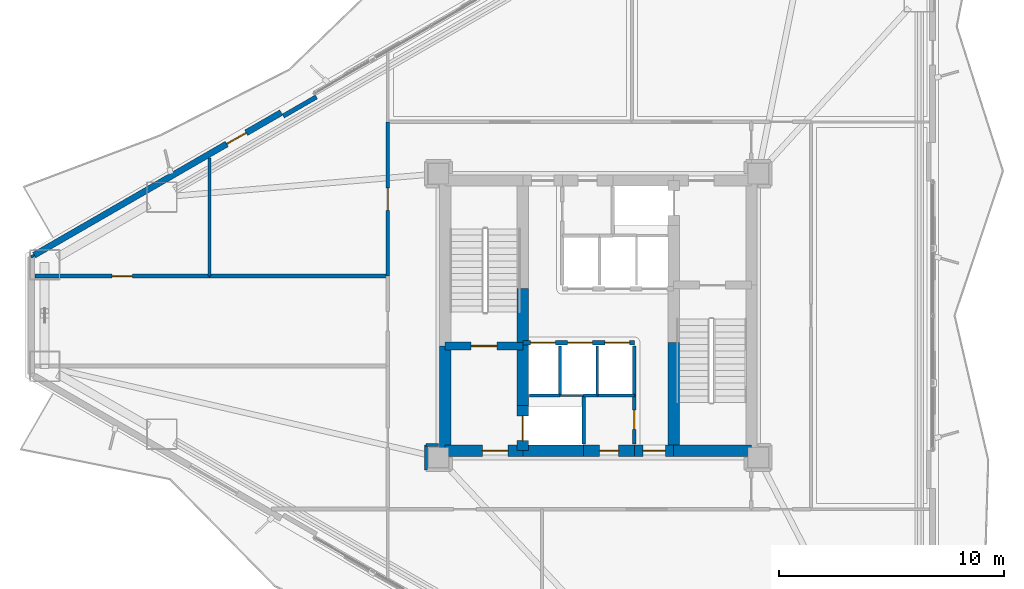
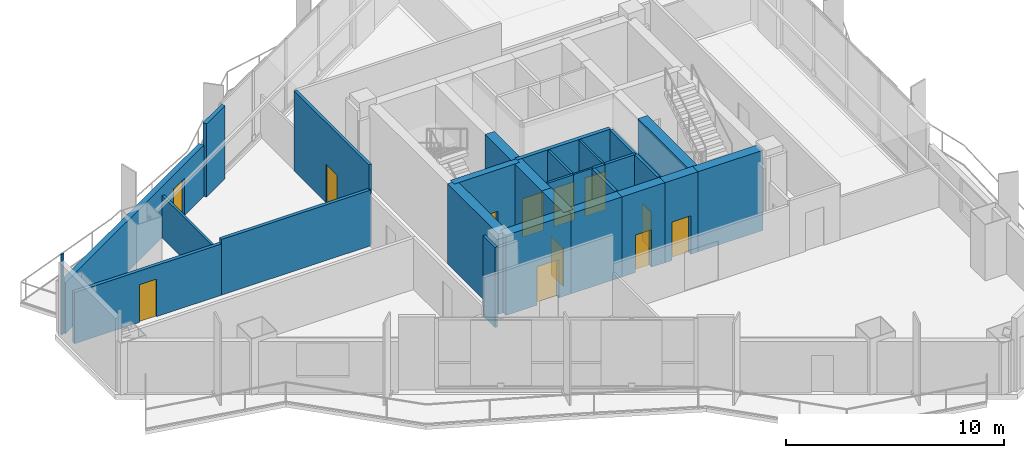
# One storey, part 12 of 16: 30 walls, 12 doors, 12 openings.
"""IFC4 building model written with IfcOpenShell, lengths in metres."""

from ifc_helpers import new_model, si_unit, direction, frame, frame_2d, origin, place, context, subcontext, project, spatial, rectangle, extrude, material, layer, layer_set, type_object, element, fill, save


model = new_model("IFC4")

# Units and contexts
model_context = context("Model", 3, precision=1e-05, world=origin(), true_north=direction((0.0, 1.0)))
body_context = subcontext(model_context, "Body", "Model", "MODEL_VIEW")
ifc_project = project(units=[si_unit("LENGTHUNIT", "METRE"), si_unit("AREAUNIT", "SQUARE_METRE"), si_unit("VOLUMEUNIT", "CUBIC_METRE"), si_unit("PLANEANGLEUNIT", "RADIAN"), si_unit("MASSUNIT", "GRAM", prefix="KILO")], contexts=[model_context])

# Site, building, storey
site_placement = place(None, origin())
site = spatial("IfcSite", under=ifc_project, at=site_placement, CompositionType="ELEMENT")
building_placement = place(site_placement, origin())
building = spatial("IfcBuilding", under=site, at=building_placement, Name="Mersakhor Tower and Convention Hall", CompositionType="ELEMENT")
storey_placement = place(building_placement, frame((0.0, 0.0, 62.10009765625)))
storey = spatial("IfcBuildingStorey", under=building, at=storey_placement, Name="L17", CompositionType="ELEMENT", Elevation=62.10009765625)

# Wall, opening, door
ifc_material_1 = material(Name="Precast concrete C45/55", Category="concrete")
ifc_layer_1 = layer(ifc_material_1, 0.27490234375)
ifc_layer_set_1 = layer_set([ifc_layer_1], Name="Precast concrete C45/55")
wall_type_1 = type_object("IfcWallType", Name="WL-EXT-275", PredefinedType="SOLIDWALL", material=ifc_layer_set_1)
wall_1_placement = place(storey_placement, frame((3.943115234375, 29.4306640625, 0.0), z_axis=(0.0, 0.0, 1.0), x_axis=(0.866027105532, 0.499997052475, 0.0)))
wall_1 = element("IfcWall", 1, at=wall_1_placement, inside=storey, type_object=wall_type_1, Name="L17 Exterior Facade Wall F1-B1", PredefinedType="SOLIDWALL", context=body_context, shape_type="SweptSolid", body=[
    extrude(rectangle(XDim=12.6728515625, YDim=0.27490234375, at=frame_2d((6.33642578125, 0.0))), origin(), (0.0, 0.0, 1.0), 2.864990234375),
])
opening_1_placement = place(wall_1_placement, frame((9.8798828125, 0.0, 0.0)))
opening_1 = element("IfcOpeningElement", 2, at=opening_1_placement, cuts=wall_1, Name="Opening BD-01", PredefinedType="OPENING", context=body_context, shape_type="SweptSolid", body=[
    extrude(rectangle(XDim=1.0, YDim=2.10009765625, at=frame_2d((0.5, 1.050048828125))), frame((0.0, 0.1474609375, 0.0), z_axis=(0.0, -1.0, 0.0), x_axis=(1.0, 0.0, 0.0)), (0.0, 0.0, 1.0), 0.294921875),
])
ifc_material_2 = material(Name="Thermally broken dark aluminium and safety glass", Category="aluminium")
door_type_1 = type_object("IfcDoorType", Name="DR-BAL-100x210", OperationType="NOTDEFINED", PredefinedType="DOOR", material=ifc_material_2)
door_1_placement = place(opening_1_placement, origin())
door_1 = element("IfcDoor", 3, at=door_1_placement, inside=storey, type_object=door_type_1, Name="L17 Balcony Terrace Door F1-B1", OperationType="SINGLE_SWING_LEFT", OverallHeight=2.10009765625, OverallWidth=1.0, PredefinedType="DOOR", context=body_context, shape_type="SweptSolid", body=[
    extrude(rectangle(XDim=1.0, YDim=2.10009765625, at=frame_2d((0.5, 1.050048828125))), frame((0.0, 0.02490234375, 0.0), z_axis=(0.0, -1.0, 0.0), x_axis=(1.0, 0.0, 0.0)), (0.0, 0.0, 1.0), 0.050048828125),
])
fill(opening_1, door_1)

# Wall
ifc_material_3 = material(Name="Precast concrete C40/50", Category="concrete")
ifc_layer_2 = layer(ifc_material_3, 0.199951171875)
ifc_layer_set_2 = layer_set([ifc_layer_2], Name="Precast concrete C40/50")
wall_type_2 = type_object("IfcWallType", Name="WL-PAR-200", PredefinedType="PARAPET", material=ifc_layer_set_2)
wall_2_placement = place(storey_placement, frame((15.00830078125, 35.611328125, 0.0), z_axis=(0.0, 0.0, 1.0), x_axis=(0.86605165483, 0.499954529098, 0.0)))
element("IfcWall", 4, at=wall_2_placement, inside=storey, type_object=wall_type_2, Name="L17 Column Pier Cladding Wall F1-C1", PredefinedType="PARAPET", context=body_context, shape_type="SweptSolid", body=[
    extrude(rectangle(XDim=1.699951171875, YDim=0.199951171875, at=frame_2d((0.85009765625, 0.0))), origin(), (0.0, 0.0, 1.0), 4.099853515625),
])

# Wall, opening, door
ifc_material_4 = material(Name="Moisture-resistant acoustic drywall studwork", Category="other")
ifc_layer_3 = layer(ifc_material_4, 0.175048828125)
ifc_layer_set_3 = layer_set([ifc_layer_3], Name="Moisture-resistant acoustic drywall studwork")
wall_type_3 = type_object("IfcWallType", Name="WL-PLM-175", PredefinedType="PLUMBINGWALL", material=ifc_layer_set_3)
wall_3_placement = place(storey_placement, frame((3.974609375, 28.5, 0.0), z_axis=(0.0, 0.0, 1.0), x_axis=(1.0, 0.0, 0.0)))
wall_3 = element("IfcWall", 5, at=wall_3_placement, inside=storey, type_object=wall_type_3, Name="L17 Interior Partition Wall P-054", PredefinedType="PLUMBINGWALL", context=body_context, shape_type="SweptSolid", body=[
    extrude(rectangle(XDim=7.75537109375, YDim=0.175048828125, at=frame_2d((3.877685546875, 0.0))), origin(), (0.0, 0.0, 1.0), 2.864990234375),
])
opening_2_placement = place(wall_3_placement, frame((3.427734375, 0.0, 0.0)))
opening_2 = element("IfcOpeningElement", 6, at=opening_2_placement, cuts=wall_3, Name="Opening WD-01", PredefinedType="OPENING", context=body_context, shape_type="SweptSolid", body=[
    extrude(rectangle(XDim=0.89990234375, YDim=2.10009765625, at=frame_2d((0.449951171875, 1.050048828125))), frame((0.0, 0.097412109375, 0.0), z_axis=(0.0, -1.0, 0.0), x_axis=(1.0, 0.0, 0.0)), (0.0, 0.0, 1.0), 0.195068359375),
])
ifc_material_5 = material(Name="Solid-core hardwood leaf in painted steel frame", Category="steel")
door_type_2 = type_object("IfcDoorType", Name="DR-INT-WET-090x210", OperationType="NOTDEFINED", PredefinedType="DOOR", material=ifc_material_5)
door_2_placement = place(opening_2_placement, origin())
door_2 = element("IfcDoor", 7, at=door_2_placement, inside=storey, type_object=door_type_2, Name="L17 Level 17 Accessible Toilet WC to Residents Quiet Reading Lounge Door", OperationType="SINGLE_SWING_RIGHT", OverallHeight=2.10009765625, OverallWidth=0.89990234375, PredefinedType="DOOR", context=body_context, shape_type="SweptSolid", body=[
    extrude(rectangle(XDim=0.89990234375, YDim=2.10009765625, at=frame_2d((0.449951171875, 1.050048828125))), frame((0.0, 0.02490234375, 0.0), z_axis=(0.0, -1.0, 0.0), x_axis=(1.0, 0.0, 0.0)), (0.0, 0.0, 1.0), 0.050048828125),
])
fill(opening_2, door_2)

# Walls
wall_4_placement = place(storey_placement, frame((11.72998046875, 28.5, 0.0), z_axis=(0.0, 0.0, 1.0), x_axis=(1.0, 0.0, 0.0)))
element("IfcWall", 8, at=wall_4_placement, inside=storey, type_object=wall_type_3, Name="L17 Interior Partition Wall P-055", PredefinedType="PLUMBINGWALL", context=body_context, shape_type="SweptSolid", body=[
    extrude(rectangle(XDim=7.919921875, YDim=0.175048828125, at=frame_2d((3.9599609375, 0.0))), origin(), (0.0, 0.0, 1.0), 3.114990234375),
])
ifc_material_6 = material(Name="Lightweight gypsum partition", Category="other")
ifc_layer_4 = layer(ifc_material_6, 0.10009765625)
ifc_layer_set_4 = layer_set([ifc_layer_4], Name="Lightweight gypsum partition")
wall_type_4 = type_object("IfcWallType", Name="WL-PRT-100", PredefinedType="PARTITIONING", material=ifc_layer_set_4)
wall_5_placement = place(storey_placement, frame((27.300048828125, 23.199951171875, 0.0), z_axis=(0.0, 0.0, 1.0), x_axis=(1.0, 0.0, 0.0)))
element("IfcWall", 9, at=wall_5_placement, inside=storey, type_object=wall_type_4, Name="L17 Interior Partition Wall P-002", PredefinedType="PARTITIONING", context=body_context, shape_type="SweptSolid", body=[
    extrude(rectangle(XDim=1.050048828125, YDim=0.10009765625, at=frame_2d((0.52490234375, 0.0))), origin(), (0.0, 0.0, 1.0), 4.47998046875),
])
wall_6_placement = place(storey_placement, frame((28.949951171875, 25.39990234375, 0.0), z_axis=(0.0, 0.0, 1.0), x_axis=(0.0, -1.0, 0.0)))
element("IfcWall", 10, at=wall_6_placement, inside=storey, type_object=wall_type_4, Name="L17 Interior Partition Wall P-008", PredefinedType="PARTITIONING", context=body_context, shape_type="SweptSolid", body=[
    extrude(rectangle(XDim=2.199951171875, YDim=0.10009765625, at=frame_2d((1.10009765625, 0.0))), origin(), (0.0, 0.0, 1.0), 4.47998046875),
])
wall_7_placement = place(storey_placement, frame((3.81298828125, 29.35595703125, 0.0), z_axis=(0.0, 0.0, 1.0), x_axis=(0.866131372301, 0.499816412211, 0.0)))
element("IfcWall", 11, at=wall_7_placement, inside=storey, type_object=wall_type_4, Name="L17 Interior Partition Wall P-060", PredefinedType="PARTITIONING", context=body_context, shape_type="SweptSolid", body=[
    extrude(rectangle(XDim=0.14990234375, YDim=0.10009765625, at=frame_2d((0.074951171875, 0.0))), origin(), (0.0, 0.0, 1.0), 4.47998046875),
])
ifc_material_7 = material(Name="Gypsum board acoustic partition", Category="other")
ifc_layer_5 = layer(ifc_material_7, 0.125)
ifc_layer_set_5 = layer_set([ifc_layer_5], Name="Gypsum board acoustic partition")
wall_type_5 = type_object("IfcWallType", Name="WL-PRT-125", PredefinedType="PARTITIONING", material=ifc_layer_set_5)
wall_8_placement = place(storey_placement, frame((25.949951171875, 23.199951171875, 0.0), z_axis=(0.0, 0.0, 1.0), x_axis=(1.0, 0.0, 0.0)))
element("IfcWall", 12, at=wall_8_placement, inside=storey, type_object=wall_type_5, Name="L17 Interior Partition Wall P-001", PredefinedType="PARTITIONING", context=body_context, shape_type="SweptSolid", body=[
    extrude(rectangle(XDim=1.35009765625, YDim=0.125, at=frame_2d((0.675048828125, 0.0))), origin(), (0.0, 0.0, 1.0), 4.47998046875),
])
wall_9_placement = place(storey_placement, frame((27.300048828125, 25.39990234375, 0.0), z_axis=(0.0, 0.0, 1.0), x_axis=(0.0, -1.0, 0.0)))
element("IfcWall", 13, at=wall_9_placement, inside=storey, type_object=wall_type_5, Name="L17 Interior Partition Wall P-007", PredefinedType="PARTITIONING", context=body_context, shape_type="SweptSolid", body=[
    extrude(rectangle(XDim=2.199951171875, YDim=0.125, at=frame_2d((1.10009765625, 0.0))), origin(), (0.0, 0.0, 1.0), 4.47998046875),
])
wall_10_placement = place(storey_placement, frame((11.72998046875, 33.739990234375, 0.0), z_axis=(0.0, 0.0, 1.0), x_axis=(0.0, -1.0, 0.0)))
element("IfcWall", 14, at=wall_10_placement, inside=storey, type_object=wall_type_5, Name="L17 Interior Partition Wall P-061", PredefinedType="PARTITIONING", context=body_context, shape_type="SweptSolid", body=[
    extrude(rectangle(XDim=5.239990234375, YDim=0.125, at=frame_2d((2.6201171875, 0.0))), origin(), (0.0, 0.0, 1.0), 2.364990234375),
])
ifc_material_8 = material(Name="Fire-rated gypsum board stud partition", Category="other")
ifc_layer_6 = layer(ifc_material_8, 0.14990234375)
ifc_layer_set_6 = layer_set([ifc_layer_6], Name="Fire-rated gypsum board stud partition")
wall_type_6 = type_object("IfcWallType", Name="WL-PRT-150", PredefinedType="PARTITIONING", material=ifc_layer_set_6)
wall_11_placement = place(storey_placement, frame((28.35009765625, 23.199951171875, 0.0), z_axis=(0.0, 0.0, 1.0), x_axis=(0.0, -1.0, 0.0)))
element("IfcWall", 15, at=wall_11_placement, inside=storey, type_object=wall_type_6, Name="L17 Interior Partition Wall P-003", PredefinedType="PARTITIONING", context=body_context, shape_type="SweptSolid", body=[
    extrude(rectangle(XDim=2.14990234375, YDim=0.14990234375, at=frame_2d((1.074951171875, 0.0))), origin(), (0.0, 0.0, 1.0), 4.47998046875),
])
wall_12_placement = place(storey_placement, frame((28.949951171875, 23.199951171875, 0.0), z_axis=(0.0, 0.0, 1.0), x_axis=(-1.0, 0.0, 0.0)))
element("IfcWall", 16, at=wall_12_placement, inside=storey, type_object=wall_type_6, Name="L17 Interior Partition Wall P-009", PredefinedType="PARTITIONING", context=body_context, shape_type="SweptSolid", body=[
    extrude(rectangle(XDim=0.599853515625, YDim=0.14990234375, at=frame_2d((0.2998046875, 0.0))), origin(), (0.0, 0.0, 1.0), 4.47998046875),
])
wall_13_placement = place(storey_placement, frame((30.60009765625, 25.39990234375, 0.0), z_axis=(0.0, 0.0, 1.0), x_axis=(0.0, -1.0, 0.0)))
element("IfcWall", 17, at=wall_13_placement, inside=storey, type_object=wall_type_6, Name="L17 Interior Partition Wall P-010", PredefinedType="PARTITIONING", context=body_context, shape_type="SweptSolid", body=[
    extrude(rectangle(XDim=2.199951171875, YDim=0.14990234375, at=frame_2d((1.10009765625, 0.0))), origin(), (0.0, 0.0, 1.0), 4.47998046875),
])
wall_14_placement = place(storey_placement, frame((30.60009765625, 23.199951171875, 0.0), z_axis=(0.0, 0.0, 1.0), x_axis=(-1.0, 0.0, 0.0)))
element("IfcWall", 18, at=wall_14_placement, inside=storey, type_object=wall_type_6, Name="L17 Interior Partition Wall P-011", PredefinedType="PARTITIONING", context=body_context, shape_type="SweptSolid", body=[
    extrude(rectangle(XDim=1.650146484375, YDim=0.14990234375, at=frame_2d((0.8251953125, 0.0))), origin(), (0.0, 0.0, 1.0), 4.47998046875),
])

# Wall, opening, door
wall_15_placement = place(storey_placement, frame((30.60009765625, 21.050048828125, 0.0), z_axis=(0.0, 0.0, 1.0), x_axis=(0.0, 1.0, 0.0)))
wall_15 = element("IfcWall", 19, at=wall_15_placement, inside=storey, type_object=wall_type_6, Name="L17 Interior Partition Wall P-017", PredefinedType="PARTITIONING", context=body_context, shape_type="SweptSolid", body=[
    extrude(rectangle(XDim=2.14990234375, YDim=0.14990234375, at=frame_2d((1.074951171875, 0.0))), origin(), (0.0, 0.0, 1.0), 4.47998046875),
])
opening_3_placement = place(wall_15_placement, frame((0.64990234375, 0.0, 0.0)))
opening_3 = element("IfcOpeningElement", 20, at=opening_3_placement, cuts=wall_15, Name="Opening SVD-01", PredefinedType="OPENING", context=body_context, shape_type="SweptSolid", body=[
    extrude(rectangle(XDim=0.85009765625, YDim=2.10009765625, at=frame_2d((0.425048828125, 1.050048828125))), frame((0.0, 0.0849609375, 0.0), z_axis=(0.0, -1.0, 0.0), x_axis=(1.0, 0.0, 0.0)), (0.0, 0.0, 1.0), 0.169921875),
])
ifc_material_9 = material(Name="Fire-rated hardwood leaf and painted steel frame", Category="steel")
door_type_3 = type_object("IfcDoorType", Name="DR-INT-SVC-085x210", OperationType="NOTDEFINED", PredefinedType="DOOR", material=ifc_material_9)
door_3_placement = place(opening_3_placement, origin())
door_3 = element("IfcDoor", 21, at=door_3_placement, inside=storey, type_object=door_type_3, Name="L17 Central Passenger Lift Lobby to Electrical Switchroom Door", OperationType="SINGLE_SWING_RIGHT", OverallHeight=2.10009765625, OverallWidth=0.85009765625, PredefinedType="DOOR", context=body_context, shape_type="SweptSolid", body=[
    extrude(rectangle(XDim=0.85009765625, YDim=2.10009765625, at=frame_2d((0.425048828125, 1.050048828125))), frame((0.0, 0.02490234375, 0.0), z_axis=(0.0, -1.0, 0.0), x_axis=(1.0, 0.0, 0.0)), (0.0, 0.0, 1.0), 0.050048828125),
])
fill(opening_3, door_3)

wall_16_placement = place(storey_placement, frame((19.64990234375, 28.5, 0.0), z_axis=(0.0, 0.0, 1.0), x_axis=(0.0, 1.0, 0.0)))
wall_16 = element("IfcWall", 22, at=wall_16_placement, inside=storey, type_object=wall_type_6, Name="L17 Interior Partition Wall P-028", PredefinedType="PARTITIONING", context=body_context, shape_type="SweptSolid", body=[
    extrude(rectangle(XDim=6.85009765625, YDim=0.14990234375, at=frame_2d((3.425048828125, 0.0))), origin(), (0.0, 0.0, 1.0), 4.47998046875),
])
opening_4_placement = place(wall_16_placement, frame((2.925048828125, 0.0, 0.0)))
opening_4 = element("IfcOpeningElement", 23, at=opening_4_placement, cuts=wall_16, Name="Opening FD-01", PredefinedType="OPENING", context=body_context, shape_type="SweptSolid", body=[
    extrude(rectangle(XDim=1.0, YDim=2.14990234375, at=frame_2d((0.5, 1.074951171875))), frame((0.0, 0.0849609375, 0.0), z_axis=(0.0, -1.0, 0.0), x_axis=(1.0, 0.0, 0.0)), (0.0, 0.0, 1.0), 0.169921875),
])
ifc_material_10 = material(Name="Fire-rated hardwood leaf and painted steel frame", Category="steel")
door_type_4 = type_object("IfcDoorType", Name="DR-INT-FLT-100x215", OperationType="NOTDEFINED", PredefinedType="DOOR", material=ifc_material_10)
door_4_placement = place(opening_4_placement, origin())
door_4 = element("IfcDoor", 24, at=door_4_placement, inside=storey, type_object=door_type_4, Name="L17 L17 Sky-Lobby Corridor to Residents Quiet Reading Lounge Annex Door", OperationType="SINGLE_SWING_RIGHT", OverallHeight=2.14990234375, OverallWidth=1.0, PredefinedType="DOOR", context=body_context, shape_type="SweptSolid", body=[
    extrude(rectangle(XDim=1.0, YDim=2.14990234375, at=frame_2d((0.5, 1.074951171875))), frame((0.0, 0.02490234375, 0.0), z_axis=(0.0, -1.0, 0.0), x_axis=(1.0, 0.0, 0.0)), (0.0, 0.0, 1.0), 0.050048828125),
])
fill(opening_4, door_4)

# Walls
wall_17_placement = place(storey_placement, frame((21.89990234375, 21.0, 0.0), z_axis=(0.0, 0.0, 1.0), x_axis=(-1.0, 0.0, 0.0)))
element("IfcWall", 25, at=wall_17_placement, inside=storey, type_object=wall_type_6, Name="L17 Interior Partition Wall P-038", PredefinedType="PARTITIONING", context=body_context, shape_type="SweptSolid", body=[
    extrude(rectangle(XDim=0.5498046875, YDim=0.14990234375, at=frame_2d((0.27490234375, 0.0))), origin(), (0.0, 0.0, 1.0), 3.92822265625),
])
wall_18_placement = place(storey_placement, frame((21.35009765625, 21.0, 0.0), z_axis=(0.0, 0.0, 1.0), x_axis=(0.0, -1.0, 0.0)))
element("IfcWall", 26, at=wall_18_placement, inside=storey, type_object=wall_type_6, Name="L17 Interior Partition Wall P-039", PredefinedType="PARTITIONING", context=body_context, shape_type="SweptSolid", body=[
    extrude(rectangle(XDim=1.10009765625, YDim=0.14990234375, at=frame_2d((0.550048828125, 0.0))), origin(), (0.0, 0.0, 1.0), 4.47998046875),
])

# Wall, openings, doors
ifc_material_11 = material(Name="Acoustic concrete blockwork and gypsum board", Category="masonry")
ifc_layer_7 = layer(ifc_material_11, 0.199951171875)
ifc_layer_set_7 = layer_set([ifc_layer_7], Name="Acoustic concrete blockwork and gypsum board")
wall_type_7 = type_object("IfcWallType", Name="WL-PRT-200", PredefinedType="PARTITIONING", material=ifc_layer_set_7)
wall_19_placement = place(storey_placement, frame((25.64990234375, 25.550048828125, 0.0), z_axis=(0.0, 0.0, 1.0), x_axis=(1.0, 0.0, 0.0)))
wall_19 = element("IfcWall", 27, at=wall_19_placement, inside=storey, type_object=wall_type_7, Name="L17 High-Rise Lift Bank Front Wall", PredefinedType="PARTITIONING", context=body_context, shape_type="SweptSolid", body=[
    extrude(rectangle(XDim=4.9501953125, YDim=0.199951171875, at=frame_2d((2.47509765625, 0.0))), origin(), (0.0, 0.0, 1.0), 4.47998046875),
])
opening_5_placement = place(wall_19_placement, frame((0.340087890625, 0.0, 0.0)))
opening_5 = element("IfcOpeningElement", 28, at=opening_5_placement, cuts=wall_19, Name="Opening LD-P4", PredefinedType="OPENING", context=body_context, shape_type="SweptSolid", body=[
    extrude(rectangle(XDim=1.10009765625, YDim=2.14990234375, at=frame_2d((0.550048828125, 1.074951171875))), frame((0.0, 0.10986328125, 0.0), z_axis=(0.0, -1.0, 0.0), x_axis=(1.0, 0.0, 0.0)), (0.0, 0.0, 1.0), 0.219970703125),
])
opening_6_placement = place(wall_19_placement, frame((1.989990234375, 0.0, 0.0)))
opening_6 = element("IfcOpeningElement", 29, at=opening_6_placement, cuts=wall_19, Name="Opening LD-P5", PredefinedType="OPENING", context=body_context, shape_type="SweptSolid", body=[
    extrude(rectangle(XDim=1.10009765625, YDim=2.14990234375, at=frame_2d((0.550048828125, 1.074951171875))), frame((0.0, 0.10986328125, 0.0), z_axis=(0.0, -1.0, 0.0), x_axis=(1.0, 0.0, 0.0)), (0.0, 0.0, 1.0), 0.219970703125),
])
opening_7_placement = place(wall_19_placement, frame((3.639892578125, 0.0, 0.0)))
opening_7 = element("IfcOpeningElement", 30, at=opening_7_placement, cuts=wall_19, Name="Opening LD-P6", PredefinedType="OPENING", context=body_context, shape_type="SweptSolid", body=[
    extrude(rectangle(XDim=1.10009765625, YDim=2.14990234375, at=frame_2d((0.550048828125, 1.074951171875))), frame((0.0, 0.10986328125, 0.0), z_axis=(0.0, -1.0, 0.0), x_axis=(1.0, 0.0, 0.0)), (0.0, 0.0, 1.0), 0.219970703125),
])
ifc_material_12 = material(Name="Fire-rated brushed stainless steel sliding landing door", Category="steel")
door_type_5 = type_object("IfcDoorType", Name="DR-LIFT-SLD-110x215", OperationType="NOTDEFINED", PredefinedType="DOOR", material=ifc_material_12)
door_5_placement = place(opening_5_placement, origin())
door_5 = element("IfcDoor", 31, at=door_5_placement, inside=storey, type_object=door_type_5, Name="L17 Lift Landing Door LD-P4", OperationType="SLIDING_TO_LEFT", OverallHeight=2.14990234375, OverallWidth=1.10009765625, PredefinedType="DOOR", context=body_context, shape_type="SweptSolid", body=[
    extrude(rectangle(XDim=1.10009765625, YDim=2.14990234375, at=frame_2d((0.550048828125, 1.074951171875))), frame((0.0, 0.02490234375, 0.0), z_axis=(0.0, -1.0, 0.0), x_axis=(1.0, 0.0, 0.0)), (0.0, 0.0, 1.0), 0.050048828125),
])
fill(opening_5, door_5)
door_6_placement = place(opening_6_placement, origin())
door_6 = element("IfcDoor", 32, at=door_6_placement, inside=storey, type_object=door_type_5, Name="L17 Lift Landing Door LD-P5", OperationType="SLIDING_TO_LEFT", OverallHeight=2.14990234375, OverallWidth=1.10009765625, PredefinedType="DOOR", context=body_context, shape_type="SweptSolid", body=[
    extrude(rectangle(XDim=1.10009765625, YDim=2.14990234375, at=frame_2d((0.550048828125, 1.074951171875))), frame((0.0, 0.02490234375, 0.0), z_axis=(0.0, -1.0, 0.0), x_axis=(1.0, 0.0, 0.0)), (0.0, 0.0, 1.0), 0.050048828125),
])
fill(opening_6, door_6)
door_7_placement = place(opening_7_placement, origin())
door_7 = element("IfcDoor", 33, at=door_7_placement, inside=storey, type_object=door_type_5, Name="L17 Lift Landing Door LD-P6", OperationType="SLIDING_TO_LEFT", OverallHeight=2.14990234375, OverallWidth=1.10009765625, PredefinedType="DOOR", context=body_context, shape_type="SweptSolid", body=[
    extrude(rectangle(XDim=1.10009765625, YDim=2.14990234375, at=frame_2d((0.550048828125, 1.074951171875))), frame((0.0, 0.02490234375, 0.0), z_axis=(0.0, -1.0, 0.0), x_axis=(1.0, 0.0, 0.0)), (0.0, 0.0, 1.0), 0.050048828125),
])
fill(opening_7, door_7)

# Wall, opening, door
ifc_material_13 = material(Name="Concrete C50/60", Category="concrete")
ifc_layer_8 = layer(ifc_material_13, 0.35009765625)
ifc_layer_set_8 = layer_set([ifc_layer_8], Name="Concrete C50/60")
wall_type_8 = type_object("IfcWallType", Name="WL-SHR-350", PredefinedType="SHEAR", material=ifc_layer_set_8)
wall_20_placement = place(storey_placement, frame((22.199951171875, 25.39990234375, 0.0), z_axis=(0.0, 0.0, 1.0), x_axis=(1.0, 0.0, 0.0)))
wall_20 = element("IfcWall", 34, at=wall_20_placement, inside=storey, type_object=wall_type_8, Name="L17 Core Wall CS-ST1-S", PredefinedType="SHEAR", context=body_context, shape_type="SweptSolid", body=[
    extrude(rectangle(XDim=3.449951171875, YDim=0.35009765625, at=frame_2d((1.72509765625, 0.0))), origin(), (0.0, 0.0, 1.0), 4.47998046875),
])
opening_8_placement = place(wall_20_placement, frame((1.14990234375, 0.0, 0.0)))
opening_8 = element("IfcOpeningElement", 35, at=opening_8_placement, cuts=wall_20, Name="Opening SD-01", PredefinedType="OPENING", context=body_context, shape_type="SweptSolid", body=[
    extrude(rectangle(XDim=1.14990234375, YDim=2.14990234375, at=frame_2d((0.574951171875, 1.074951171875))), frame((0.0, 0.18505859375, 0.0), z_axis=(0.0, -1.0, 0.0), x_axis=(1.0, 0.0, 0.0)), (0.0, 0.0, 1.0), 0.3701171875),
])
ifc_material_14 = material(Name="Fire-rated hardwood leaf and painted steel frame", Category="steel")
door_type_6 = type_object("IfcDoorType", Name="DR-INT-STAIR-115x215", OperationType="NOTDEFINED", PredefinedType="DOOR", material=ifc_material_14)
door_8_placement = place(opening_8_placement, origin())
door_8 = element("IfcDoor", 36, at=door_8_placement, inside=storey, type_object=door_type_6, Name="L17 Exit Stair ST-1 Enclosure Door", OperationType="SINGLE_SWING_LEFT", OverallHeight=2.14990234375, OverallWidth=1.14990234375, PredefinedType="DOOR", context=body_context, shape_type="SweptSolid", body=[
    extrude(rectangle(XDim=1.14990234375, YDim=2.14990234375, at=frame_2d((0.574951171875, 1.074951171875))), frame((0.0, 0.02490234375, 0.0), z_axis=(0.0, -1.0, 0.0), x_axis=(1.0, 0.0, 0.0)), (0.0, 0.0, 1.0), 0.050048828125),
])
fill(opening_8, door_8)

# Walls
ifc_material_15 = material(Name="Concrete C70/85", Category="concrete")
ifc_layer_9 = layer(ifc_material_15, 0.5)
ifc_layer_set_9 = layer_set([ifc_layer_9], Name="Concrete C70/85")
wall_type_9 = type_object("IfcWallType", Name="WL-SHR-500", PredefinedType="SHEAR", material=ifc_layer_set_9)
wall_21_placement = place(storey_placement, frame((22.199951171875, 20.75, 0.0), z_axis=(0.0, 0.0, 1.0), x_axis=(0.0, 1.0, 0.0)))
element("IfcWall", 37, at=wall_21_placement, inside=storey, type_object=wall_type_9, Name="L17 Core Wall CW-W1", PredefinedType="SHEAR", context=body_context, shape_type="SweptSolid", body=[
    extrude(rectangle(XDim=4.64990234375, YDim=0.5, at=frame_2d((2.324951171875, 0.0))), origin(), (0.0, 0.0, 1.0), 4.47998046875),
])
wall_22_placement = place(storey_placement, frame((35.800048828125, 20.75, 0.0), z_axis=(0.0, 0.0, 1.0), x_axis=(-1.0, 0.0, 0.0)))
element("IfcWall", 38, at=wall_22_placement, inside=storey, type_object=wall_type_9, Name="L17 Core Wall CW-S1", PredefinedType="SHEAR", context=body_context, shape_type="SweptSolid", body=[
    extrude(rectangle(XDim=3.449951171875, YDim=0.5, at=frame_2d((1.72509765625, 0.0))), origin(), (0.0, 0.0, 1.0), 4.47998046875),
])

# Wall, opening, door
wall_23_placement = place(storey_placement, frame((32.35009765625, 20.75, 0.0), z_axis=(0.0, 0.0, 1.0), x_axis=(-1.0, 0.0, 0.0)))
wall_23 = element("IfcWall", 39, at=wall_23_placement, inside=storey, type_object=wall_type_9, Name="L17 Core Wall CW-S2A", PredefinedType="SHEAR", context=body_context, shape_type="SweptSolid", body=[
    extrude(rectangle(XDim=1.75, YDim=0.5, at=frame_2d((0.875, 0.0))), origin(), (0.0, 0.0, 1.0), 4.47998046875),
])
opening_9_placement = place(wall_23_placement, frame((0.375, 0.0, 0.0)))
opening_9 = element("IfcOpeningElement", 40, at=opening_9_placement, cuts=wall_23, Name="Opening CFD-01", PredefinedType="OPENING", context=body_context, shape_type="SweptSolid", body=[
    extrude(rectangle(XDim=1.0, YDim=2.14990234375, at=frame_2d((0.5, 1.074951171875))), frame((0.0, 0.260009765625, 0.0), z_axis=(0.0, -1.0, 0.0), x_axis=(1.0, 0.0, 0.0)), (0.0, 0.0, 1.0), 0.52001953125),
])
ifc_material_16 = material(Name="Fire-rated hardwood leaf and painted steel frame", Category="steel")
door_type_7 = type_object("IfcDoorType", Name="DR-CORE-FD-100x215", OperationType="NOTDEFINED", PredefinedType="DOOR", material=ifc_material_16)
door_9_placement = place(opening_9_placement, origin())
door_9 = element("IfcDoor", 41, at=door_9_placement, inside=storey, type_object=door_type_7, Name="L17 Lift Lobby South Corridor Door", OperationType="SINGLE_SWING_RIGHT", OverallHeight=2.14990234375, OverallWidth=1.0, PredefinedType="DOOR", context=body_context, shape_type="SweptSolid", body=[
    extrude(rectangle(XDim=1.0, YDim=2.14990234375, at=frame_2d((0.5, 1.074951171875))), frame((0.0, 0.02490234375, 0.0), z_axis=(0.0, -1.0, 0.0), x_axis=(1.0, 0.0, 0.0)), (0.0, 0.0, 1.0), 0.050048828125),
])
fill(opening_9, door_9)

wall_24_placement = place(storey_placement, frame((30.60009765625, 20.75, 0.0), z_axis=(0.0, 0.0, 1.0), x_axis=(-1.0, 0.0, 0.0)))
wall_24 = element("IfcWall", 42, at=wall_24_placement, inside=storey, type_object=wall_type_9, Name="L17 Core Wall CW-S2B", PredefinedType="SHEAR", context=body_context, shape_type="SweptSolid", body=[
    extrude(rectangle(XDim=2.25, YDim=0.5, at=frame_2d((1.125, 0.0))), origin(), (0.0, 0.0, 1.0), 4.47998046875),
])
opening_10_placement = place(wall_24_placement, frame((0.699951171875, 0.0, 0.0)))
opening_10 = element("IfcOpeningElement", 43, at=opening_10_placement, cuts=wall_24, Name="Opening SVD-01", PredefinedType="OPENING", context=body_context, shape_type="SweptSolid", body=[
    extrude(rectangle(XDim=0.85009765625, YDim=2.10009765625, at=frame_2d((0.425048828125, 1.050048828125))), frame((0.0, 0.260009765625, 0.0), z_axis=(0.0, -1.0, 0.0), x_axis=(1.0, 0.0, 0.0)), (0.0, 0.0, 1.0), 0.52001953125),
])
door_10_placement = place(opening_10_placement, origin())
door_10 = element("IfcDoor", 44, at=door_10_placement, inside=storey, type_object=door_type_3, Name="L17 L17 Sky-Lobby Corridor to Electrical Switchroom Door", OperationType="SINGLE_SWING_LEFT", OverallHeight=2.10009765625, OverallWidth=0.85009765625, PredefinedType="DOOR", context=body_context, shape_type="SweptSolid", body=[
    extrude(rectangle(XDim=0.85009765625, YDim=2.10009765625, at=frame_2d((0.425048828125, 1.050048828125))), frame((0.0, 0.02490234375, 0.0), z_axis=(0.0, -1.0, 0.0), x_axis=(1.0, 0.0, 0.0)), (0.0, 0.0, 1.0), 0.050048828125),
])
fill(opening_10, door_10)

# Wall
wall_25_placement = place(storey_placement, frame((28.35009765625, 20.75, 0.0), z_axis=(0.0, 0.0, 1.0), x_axis=(-1.0, 0.0, 0.0)))
element("IfcWall", 45, at=wall_25_placement, inside=storey, type_object=wall_type_9, Name="L17 Core Wall CW-S3", PredefinedType="SHEAR", context=body_context, shape_type="SweptSolid", body=[
    extrude(rectangle(XDim=2.7001953125, YDim=0.5, at=frame_2d((1.35009765625, 0.0))), origin(), (0.0, 0.0, 1.0), 4.47998046875),
])

# Wall, opening, door
wall_26_placement = place(storey_placement, frame((25.64990234375, 20.75, 0.0), z_axis=(0.0, 0.0, 1.0), x_axis=(-1.0, 0.0, 0.0)))
wall_26 = element("IfcWall", 46, at=wall_26_placement, inside=storey, type_object=wall_type_9, Name="L17 Core Wall CW-S4", PredefinedType="SHEAR", context=body_context, shape_type="SweptSolid", body=[
    extrude(rectangle(XDim=3.449951171875, YDim=0.5, at=frame_2d((1.72509765625, 0.0))), origin(), (0.0, 0.0, 1.0), 4.47998046875),
])
opening_11_placement = place(wall_26_placement, frame((0.64990234375, 0.0, 0.0)))
opening_11 = element("IfcOpeningElement", 47, at=opening_11_placement, cuts=wall_26, Name="Opening SD-01", PredefinedType="OPENING", context=body_context, shape_type="SweptSolid", body=[
    extrude(rectangle(XDim=1.14990234375, YDim=2.14990234375, at=frame_2d((0.574951171875, 1.074951171875))), frame((0.0, 0.260009765625, 0.0), z_axis=(0.0, -1.0, 0.0), x_axis=(1.0, 0.0, 0.0)), (0.0, 0.0, 1.0), 0.52001953125),
])
door_11_placement = place(opening_11_placement, origin())
door_11 = element("IfcDoor", 48, at=door_11_placement, inside=storey, type_object=door_type_6, Name="L17 Firefighting Lobby West Fire Door", OperationType="SINGLE_SWING_LEFT", OverallHeight=2.14990234375, OverallWidth=1.14990234375, PredefinedType="DOOR", context=body_context, shape_type="SweptSolid", body=[
    extrude(rectangle(XDim=1.14990234375, YDim=2.14990234375, at=frame_2d((0.574951171875, 1.074951171875))), frame((0.0, 0.02490234375, 0.0), z_axis=(0.0, -1.0, 0.0), x_axis=(1.0, 0.0, 0.0)), (0.0, 0.0, 1.0), 0.050048828125),
])
fill(opening_11, door_11)

wall_27_placement = place(storey_placement, frame((25.64990234375, 20.75, 0.0), z_axis=(0.0, 0.0, 1.0), x_axis=(0.0, 1.0, 0.0)))
wall_27 = element("IfcWall", 49, at=wall_27_placement, inside=storey, type_object=wall_type_9, Name="L17 Core Wall CS-W-FFL", PredefinedType="SHEAR", context=body_context, shape_type="SweptSolid", body=[
    extrude(rectangle(XDim=2.0, YDim=0.5, at=frame_2d((1.0, 0.0))), origin(), (0.0, 0.0, 1.0), 4.47998046875),
])
opening_12_placement = place(wall_27_placement, frame((0.449951171875, 0.0, 0.0)))
opening_12 = element("IfcOpeningElement", 50, at=opening_12_placement, cuts=wall_27, Name="Opening LD-FFL1", PredefinedType="OPENING", context=body_context, shape_type="SweptSolid", body=[
    extrude(rectangle(XDim=1.10009765625, YDim=2.14990234375, at=frame_2d((0.550048828125, 1.074951171875))), frame((0.0, 0.260009765625, 0.0), z_axis=(0.0, -1.0, 0.0), x_axis=(1.0, 0.0, 0.0)), (0.0, 0.0, 1.0), 0.52001953125),
])
door_12_placement = place(opening_12_placement, origin())
door_12 = element("IfcDoor", 51, at=door_12_placement, inside=storey, type_object=door_type_5, Name="L17 Firefighting Lift Landing Door LD-FFL1", OperationType="SLIDING_TO_LEFT", OverallHeight=2.14990234375, OverallWidth=1.10009765625, PredefinedType="DOOR", context=body_context, shape_type="SweptSolid", body=[
    extrude(rectangle(XDim=1.10009765625, YDim=2.14990234375, at=frame_2d((0.550048828125, 1.074951171875))), frame((0.0, 0.02490234375, 0.0), z_axis=(0.0, -1.0, 0.0), x_axis=(1.0, 0.0, 0.0)), (0.0, 0.0, 1.0), 0.050048828125),
])
fill(opening_12, door_12)

# Walls
wall_28_placement = place(storey_placement, frame((25.64990234375, 22.75, 0.0), z_axis=(0.0, 0.0, 1.0), x_axis=(0.0, 1.0, 0.0)))
element("IfcWall", 52, at=wall_28_placement, inside=storey, type_object=wall_type_9, Name="L17 Core Wall CS-W-MID", PredefinedType="SHEAR", context=body_context, shape_type="SweptSolid", body=[
    extrude(rectangle(XDim=2.800048828125, YDim=0.5, at=frame_2d((1.39990234375, 0.0))), origin(), (0.0, 0.0, 1.0), 4.47998046875),
])
wall_29_placement = place(storey_placement, frame((25.64990234375, 25.550048828125, 0.0), z_axis=(0.0, 0.0, 1.0), x_axis=(0.0, 1.0, 0.0)))
element("IfcWall", 53, at=wall_29_placement, inside=storey, type_object=wall_type_9, Name="L17 Core Wall CS-W-LOB", PredefinedType="SHEAR", context=body_context, shape_type="SweptSolid", body=[
    extrude(rectangle(XDim=2.39990234375, YDim=0.5, at=frame_2d((1.199951171875, 0.0))), origin(), (0.0, 0.0, 1.0), 4.47998046875),
])
wall_30_placement = place(storey_placement, frame((32.35009765625, 20.75, 0.0), z_axis=(0.0, 0.0, 1.0), x_axis=(0.0, 1.0, 0.0)))
element("IfcWall", 54, at=wall_30_placement, inside=storey, type_object=wall_type_9, Name="L17 Core Wall CS-E-ST2", PredefinedType="SHEAR", context=body_context, shape_type="SweptSolid", body=[
    extrude(rectangle(XDim=4.800048828125, YDim=0.5, at=frame_2d((2.39990234375, 0.0))), origin(), (0.0, 0.0, 1.0), 4.47998046875),
])

save(model, "model.ifc")
